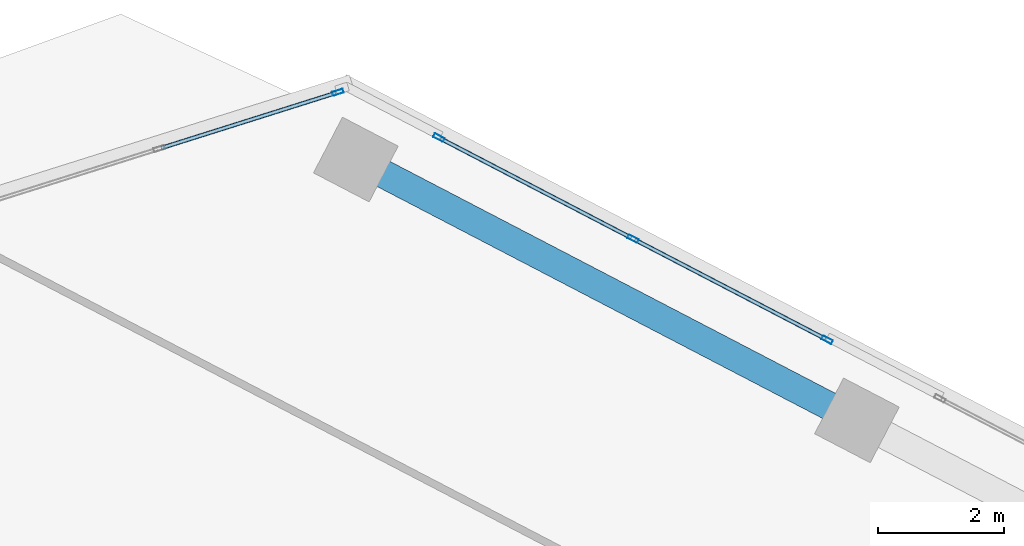
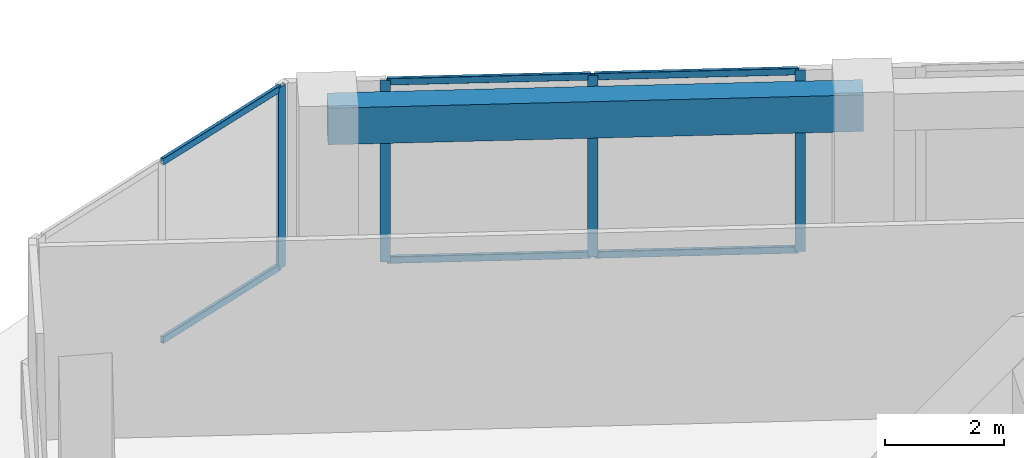
# One storey, part 14 of 22: 10 members, 1 beam, 2 elements without a shape of their own.
"""IFC4 building model written with IfcOpenShell, lengths in metres."""

from ifc_helpers import new_model, si_unit, direction, frame, origin, origin_2d, place, context, subcontext, project, spatial, rectangle, hollow_rectangle, extrude, source, transform, mapped, material, material_profile, profile_set, type_object, element, aggregate, save


model = new_model("IFC4")

# Units and contexts
model_context = context("Model", 3, precision=1e-05, world=origin(), true_north=direction((0.0, 1.0)))
body_context = subcontext(model_context, "Body", "Model", "MODEL_VIEW")
ifc_project = project(units=[si_unit("LENGTHUNIT", "METRE"), si_unit("AREAUNIT", "SQUARE_METRE"), si_unit("VOLUMEUNIT", "CUBIC_METRE"), si_unit("PLANEANGLEUNIT", "RADIAN"), si_unit("MASSUNIT", "GRAM", prefix="KILO")], contexts=[model_context])

# Site, building, storey
site_placement = place(None, origin())
site = spatial("IfcSite", under=ifc_project, at=site_placement, CompositionType="ELEMENT")
building_placement = place(site_placement, origin())
building = spatial("IfcBuilding", under=site, at=building_placement, Name="Torre Montelarca", CompositionType="ELEMENT")
storey_placement = place(building_placement, frame((0.0, 0.0, 166.60009765625)))
storey = spatial("IfcBuildingStorey", under=building, at=storey_placement, Name="L37", CompositionType="ELEMENT", Elevation=166.60009765625)

# Beam
ifc_material_1 = material(Name="Concrete C55/67", Category="concrete")
ifc_material_profile_1 = material_profile(ifc_material_1, rectangle(XDim=0.449951171875, YDim=0.75, at=origin_2d()), Name="RCB450X750", Category="concrete")
ifc_profile_set_1 = profile_set([ifc_material_profile_1], Name="Concrete C55/67")
beam_type = type_object("IfcBeamType", Name="BM-SP-RC750-EXT", PredefinedType="SPANDREL", material=ifc_profile_set_1)
shared_shape_1 = source(origin(), body_context, "Body", "SweptSolid", [
    extrude(rectangle(XDim=0.449951171875, YDim=0.75, at=origin_2d()), origin(), (0.0, 0.0, 1.0), 9.000244140625),
])
beam_placement = place(storey_placement, frame((17.407958984375, 51.210205078125, 3.5849609375), z_axis=(0.886999966957, -0.461769486452, 0.0), x_axis=(0.461769486452, 0.886999966957, 0.0)))
element("IfcBeam", 1, at=beam_placement, inside=storey, type_object=beam_type, Name="L37 Grid Girder X 9.0-18.0 at Y=47.1", PredefinedType="SPANDREL", context=body_context, shape_type="MappedRepresentation", body=[
    mapped(shared_shape_1, transform((0.0, 0.0, 0.0), scale=1.0)),
])

# Curtain wall, members
ifc_material_2 = material(Name="Insulated low-E laminated glass", Category="glass")
curtain_wall_type = type_object("IfcCurtainWallType", Name="CW-SYS-Z2", PredefinedType="USERDEFINED", material=ifc_material_2)
curtain_wall_1_placement = place(storey_placement, origin())
curtain_wall_1 = element("IfcCurtainWall", 2, at=curtain_wall_1_placement, inside=storey, type_object=curtain_wall_type, Name="L37 Curtain Wall Run CW-T3-L37-E09-B1", ObjectType="UNITISED GLAZING", PredefinedType="USERDEFINED")
ifc_material_3 = material(Name="Anodised aluminium AA 6063-T6", Category="aluminium")
ifc_material_profile_2 = material_profile(ifc_material_3, hollow_rectangle(XDim=0.06494140625, YDim=0.139892578125, WallThickness=0.00390625, InnerFilletRadius=0.00390625, OuterFilletRadius=0.008056640625, at=origin_2d()), Name="ALU65X140X4", Category="aluminium")
ifc_profile_set_2 = profile_set([ifc_material_profile_2], Name="Anodised aluminium AA 6063-T6")
member_type_1 = type_object("IfcMemberType", Name="CWT-ALU140", PredefinedType="USERDEFINED", material=ifc_profile_set_2)
shared_shape_2 = source(origin(), body_context, "Body", "SweptSolid", [
    extrude(hollow_rectangle(XDim=0.06494140625, YDim=0.139892578125, WallThickness=0.00390625, InnerFilletRadius=0.00390625, OuterFilletRadius=0.008056640625, at=origin_2d()), origin(), (0.0, 0.0, 1.0), 2.918701171875),
])
member_1_placement = place(storey_placement, frame((17.0908203125, 52.271240234375, 0.032470703125), z_axis=(-0.953717833294, -0.300703000412, 0.0), x_axis=(0.300703000412, -0.953717833294, 0.0)))
member_1 = element("IfcMember", 3, at=member_1_placement, type_object=member_type_1, Name="CW transom 1.1", ObjectType="TRANSOM", PredefinedType="USERDEFINED", context=body_context, shape_type="MappedRepresentation", body=[
    mapped(shared_shape_2, transform((0.0, 0.0, 0.0), scale=1.0)),
])
member_2_placement = place(storey_placement, frame((17.0908203125, 52.271240234375, 3.6875), z_axis=(-0.953717833294, -0.300703000412, 0.0), x_axis=(0.300703000412, -0.953717833294, 0.0)))
member_2 = element("IfcMember", 4, at=member_2_placement, type_object=member_type_1, Name="CW transom 1.2", ObjectType="TRANSOM", PredefinedType="USERDEFINED", context=body_context, shape_type="MappedRepresentation", body=[
    mapped(shared_shape_2, transform((0.0, 0.0, 0.0), scale=1.0)),
])

curtain_wall_2_placement = place(storey_placement, origin())
curtain_wall_2 = element("IfcCurtainWall", 5, at=curtain_wall_2_placement, inside=storey, type_object=curtain_wall_type, Name="L37 Curtain Wall Run CW-T3-L37-E08-B4", ObjectType="UNITISED GLAZING", PredefinedType="USERDEFINED")
ifc_material_profile_3 = material_profile(ifc_material_3, hollow_rectangle(XDim=0.06494140625, YDim=0.179931640625, WallThickness=0.00390625, InnerFilletRadius=0.00390625, OuterFilletRadius=0.008056640625, at=origin_2d()), Name="ALU65X180X4", Category="aluminium")
ifc_profile_set_3 = profile_set([ifc_material_profile_3], Name="Anodised aluminium AA 6063-T6")
member_type_2 = type_object("IfcMemberType", Name="CWM-ALU180", PredefinedType="MULLION", material=ifc_profile_set_3)
shared_shape_3 = source(origin(), body_context, "Body", "SweptSolid", [
    extrude(hollow_rectangle(XDim=0.06494140625, YDim=0.179931640625, WallThickness=0.00390625, InnerFilletRadius=0.00390625, OuterFilletRadius=0.008056640625, at=origin_2d()), origin(), (0.0, 0.0, 1.0), 3.719970703125),
])
member_3_placement = place(storey_placement, frame((24.917724609375, 48.337890625, 0.0), z_axis=(0.0, 0.0, 1.0), x_axis=(-0.461744924744, -0.887012753276, 0.0)))
member_3 = element("IfcMember", 6, at=member_3_placement, type_object=member_type_2, Name="CW mullion 1", PredefinedType="MULLION", context=body_context, shape_type="MappedRepresentation", body=[
    mapped(shared_shape_3, transform((0.0, 0.0, 0.0), scale=1.0)),
])
member_4_placement = place(storey_placement, frame((21.82421875, 49.9482421875, 0.0), z_axis=(0.0, 0.0, 1.0), x_axis=(-0.461744924744, -0.887012753276, 0.0)))
member_4 = element("IfcMember", 7, at=member_4_placement, type_object=member_type_2, Name="CW mullion 2", PredefinedType="MULLION", context=body_context, shape_type="MappedRepresentation", body=[
    mapped(shared_shape_3, transform((0.0, 0.0, 0.0), scale=1.0)),
])
member_5_placement = place(storey_placement, frame((18.730712890625, 51.55859375, 0.0), z_axis=(0.0, 0.0, 1.0), x_axis=(-0.461744924744, -0.887012753276, 0.0)))
member_5 = element("IfcMember", 8, at=member_5_placement, type_object=member_type_2, Name="CW mullion 3", PredefinedType="MULLION", context=body_context, shape_type="MappedRepresentation", body=[
    mapped(shared_shape_3, transform((0.0, 0.0, 0.0), scale=1.0)),
])

# Member
member_6_placement = place(storey_placement, frame((17.121826171875, 52.281005859375, 0.0), z_axis=(0.0, 0.0, 1.0), x_axis=(0.30069894448, -0.953719112102, 0.0)))
member_6 = element("IfcMember", 9, at=member_6_placement, type_object=member_type_2, Name="CW mullion 1", PredefinedType="MULLION", context=body_context, shape_type="MappedRepresentation", body=[
    mapped(shared_shape_3, transform((0.0, 0.0, 0.0), scale=1.0)),
])

aggregate(curtain_wall_1, [member_6, member_1, member_2])

shared_shape_4 = source(origin(), body_context, "Body", "SweptSolid", [
    extrude(hollow_rectangle(XDim=0.06494140625, YDim=0.139892578125, WallThickness=0.00390625, InnerFilletRadius=0.00390625, OuterFilletRadius=0.008056640625, at=origin_2d()), origin(), (0.0, 0.0, 1.0), 3.422607421875),
])
member_7_placement = place(storey_placement, frame((24.888916015625, 48.35302734375, 0.032470703125), z_axis=(-0.887018174284, 0.461734510828, 0.0), x_axis=(-0.461734510828, -0.887018174284, 0.0)))
member_7 = element("IfcMember", 10, at=member_7_placement, type_object=member_type_1, Name="CW transom 1.1", ObjectType="TRANSOM", PredefinedType="USERDEFINED", context=body_context, shape_type="MappedRepresentation", body=[
    mapped(shared_shape_4, transform((0.0, 0.0, 0.0), scale=1.0)),
])

member_8_placement = place(storey_placement, frame((24.888916015625, 48.35302734375, 3.6875), z_axis=(-0.887018174284, 0.461734510828, 0.0), x_axis=(-0.461734510828, -0.887018174284, 0.0)))
member_8 = element("IfcMember", 11, at=member_8_placement, type_object=member_type_1, Name="CW transom 1.2", ObjectType="TRANSOM", PredefinedType="USERDEFINED", context=body_context, shape_type="MappedRepresentation", body=[
    mapped(shared_shape_4, transform((0.0, 0.0, 0.0), scale=1.0)),
])

shared_shape_5 = source(origin(), body_context, "Body", "SweptSolid", [
    extrude(hollow_rectangle(XDim=0.06494140625, YDim=0.139892578125, WallThickness=0.00390625, InnerFilletRadius=0.00390625, OuterFilletRadius=0.008056640625, at=origin_2d()), origin(), (0.0, 0.0, 1.0), 3.42236328125),
])
member_9_placement = place(storey_placement, frame((21.79541015625, 49.963134765625, 0.032470703125), z_axis=(-0.886973745473, 0.461819851069, 0.0), x_axis=(-0.461819851069, -0.886973745473, 0.0)))
member_9 = element("IfcMember", 12, at=member_9_placement, type_object=member_type_1, Name="CW transom 2.1", ObjectType="TRANSOM", PredefinedType="USERDEFINED", context=body_context, shape_type="MappedRepresentation", body=[
    mapped(shared_shape_5, transform((0.0, 0.0, 0.0), scale=1.0)),
])

member_10_placement = place(storey_placement, frame((21.79541015625, 49.963134765625, 3.6875), z_axis=(-0.886973745473, 0.461819851069, 0.0), x_axis=(-0.461819851069, -0.886973745473, 0.0)))
member_10 = element("IfcMember", 13, at=member_10_placement, type_object=member_type_1, Name="CW transom 2.2", ObjectType="TRANSOM", PredefinedType="USERDEFINED", context=body_context, shape_type="MappedRepresentation", body=[
    mapped(shared_shape_5, transform((0.0, 0.0, 0.0), scale=1.0)),
])

aggregate(curtain_wall_2, [member_3, member_4, member_5, member_7, member_8, member_9, member_10])

save(model, "model.ifc")
